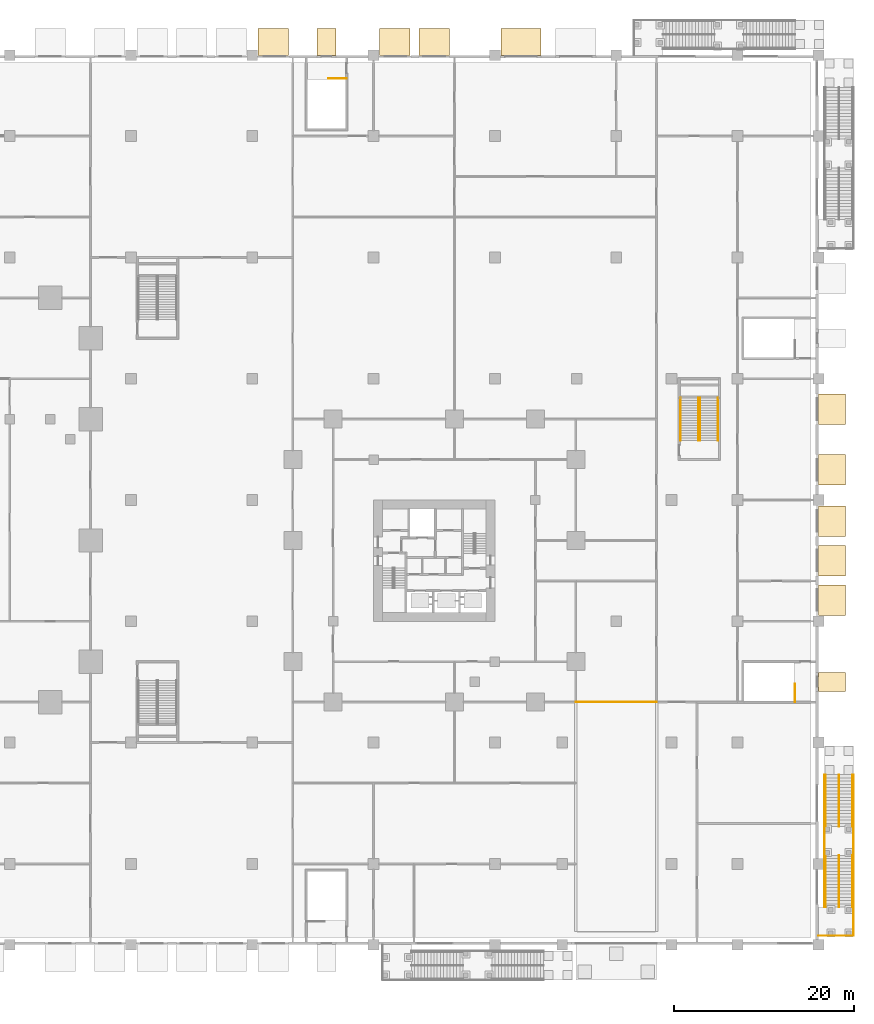
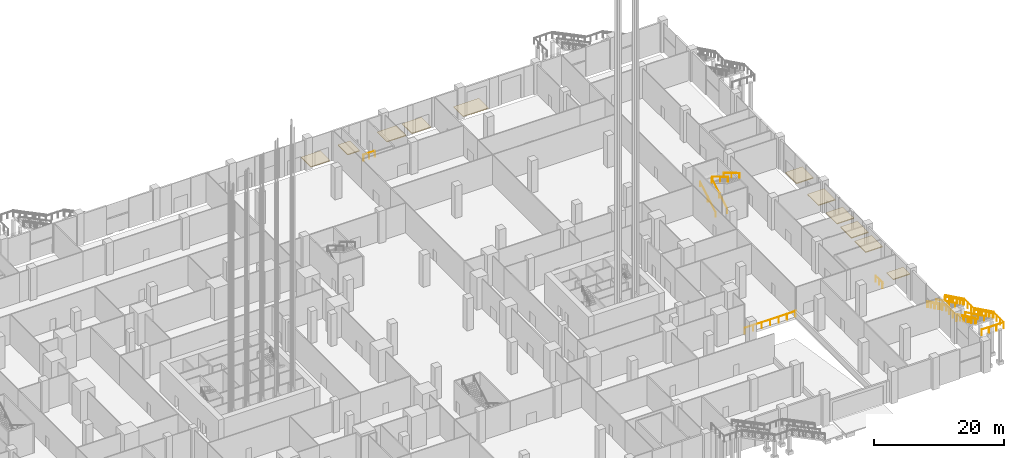
# One storey, part 65 of 68: 21 railings, 11 coverings.
"""IFC4 building model written with IfcOpenShell, lengths in metres."""

from ifc_helpers import new_model, si_unit, direction, frame, origin, origin_2d, place, context, subcontext, project, spatial, polyline, circle, outline, extrude, source, transform, mapped, material, layer, layer_set, type_object, element, save


model = new_model("IFC4")

# Units and contexts
model_context = context("Model", 3, precision=1e-05, world=origin(), true_north=direction((0.0, 1.0)))
body_context = subcontext(model_context, "Body", "Model", "MODEL_VIEW")
ifc_project = project(units=[si_unit("LENGTHUNIT", "METRE"), si_unit("AREAUNIT", "SQUARE_METRE"), si_unit("VOLUMEUNIT", "CUBIC_METRE"), si_unit("PLANEANGLEUNIT", "RADIAN"), si_unit("MASSUNIT", "GRAM", prefix="KILO")], contexts=[model_context])

# Site, building, storey
site_placement = place(None, origin())
site = spatial("IfcSite", under=ifc_project, at=site_placement, CompositionType="ELEMENT")
building_placement = place(site_placement, origin())
building = spatial("IfcBuilding", under=site, at=building_placement, Name="Altepetl Exchange Towers", CompositionType="ELEMENT")
storey_placement = place(building_placement, origin())
storey = spatial("IfcBuildingStorey", under=building, at=storey_placement, Name="L00 Ground concourse", CompositionType="ELEMENT", Elevation=0.0)

# Coverings
ifc_material_1 = material(Name="Cantera limestone paving", Category="masonry")
ifc_layer = layer(ifc_material_1, 0.14990234375)
ifc_layer_set = layer_set([ifc_layer], Name="Cantera limestone paving")
covering_type = type_object("IfcCoveringType", Name="Paving 150 limestone", PredefinedType="FLOORING", material=ifc_layer_set)
covering_1_placement = place(storey_placement, frame((0.0, 0.0, -0.14990234375)))
element("IfcCovering", 1, at=covering_1_placement, inside=storey, type_object=covering_type, Name="Paving", PredefinedType="FLOORING", context=body_context, shape_type="SweptSolid", body=[
    extrude(outline(polyline([(153.0, 28.199951171875), (156.0, 28.199951171875), (156.0, 30.300048828125), (153.0, 30.300048828125), (153.0, 28.199951171875)])), origin(), (0.0, 0.0, 1.0), 0.14990234375),
])
covering_2_placement = place(storey_placement, frame((0.0, 0.0, -0.14990234375)))
element("IfcCovering", 2, at=covering_2_placement, inside=storey, type_object=covering_type, Name="Paving", PredefinedType="FLOORING", context=body_context, shape_type="SweptSolid", body=[
    extrude(outline(polyline([(153.0, 36.64990234375), (156.0, 36.64990234375), (156.0, 40.050048828125), (153.0, 40.050048828125), (153.0, 36.64990234375)])), origin(), (0.0, 0.0, 1.0), 0.14990234375),
])
covering_3_placement = place(storey_placement, frame((0.0, 0.0, -0.14990234375)))
element("IfcCovering", 3, at=covering_3_placement, inside=storey, type_object=covering_type, Name="Paving", PredefinedType="FLOORING", context=body_context, shape_type="SweptSolid", body=[
    extrude(outline(polyline([(153.0, 41.050048828125), (156.0, 41.050048828125), (156.0, 44.449951171875), (153.0, 44.449951171875), (153.0, 41.050048828125)])), origin(), (0.0, 0.0, 1.0), 0.14990234375),
])
covering_4_placement = place(storey_placement, frame((0.0, 0.0, -0.14990234375)))
element("IfcCovering", 4, at=covering_4_placement, inside=storey, type_object=covering_type, Name="Paving", PredefinedType="FLOORING", context=body_context, shape_type="SweptSolid", body=[
    extrude(outline(polyline([(153.0, 45.449951171875), (156.0, 45.449951171875), (156.0, 48.85009765625), (153.0, 48.85009765625), (153.0, 45.449951171875)])), origin(), (0.0, 0.0, 1.0), 0.14990234375),
])
covering_5_placement = place(storey_placement, frame((0.0, 0.0, -0.14990234375)))
element("IfcCovering", 5, at=covering_5_placement, inside=storey, type_object=covering_type, Name="Paving", PredefinedType="FLOORING", context=body_context, shape_type="SweptSolid", body=[
    extrude(outline(polyline([(153.0, 51.14990234375), (156.0, 51.14990234375), (156.0, 54.550048828125), (153.0, 54.550048828125), (153.0, 51.14990234375)])), origin(), (0.0, 0.0, 1.0), 0.14990234375),
])
covering_6_placement = place(storey_placement, frame((0.0, 0.0, -0.14990234375)))
element("IfcCovering", 6, at=covering_6_placement, inside=storey, type_object=covering_type, Name="Paving", PredefinedType="FLOORING", context=body_context, shape_type="SweptSolid", body=[
    extrude(outline(polyline([(153.0, 57.89990234375), (156.0, 57.89990234375), (156.0, 61.300048828125), (153.0, 61.300048828125), (153.0, 57.89990234375)])), origin(), (0.0, 0.0, 1.0), 0.14990234375),
])
covering_7_placement = place(storey_placement, frame((0.0, 0.0, -0.14990234375)))
element("IfcCovering", 7, at=covering_7_placement, inside=storey, type_object=covering_type, Name="Paving", PredefinedType="FLOORING", context=body_context, shape_type="SweptSolid", body=[
    extrude(outline(polyline([(90.64990234375, 99.0), (94.050048828125, 99.0), (94.050048828125, 102.0), (90.64990234375, 102.0), (90.64990234375, 99.0)])), origin(), (0.0, 0.0, 1.0), 0.14990234375),
])
covering_8_placement = place(storey_placement, frame((0.0, 0.0, -0.14990234375)))
element("IfcCovering", 8, at=covering_8_placement, inside=storey, type_object=covering_type, Name="Paving", PredefinedType="FLOORING", context=body_context, shape_type="SweptSolid", body=[
    extrude(outline(polyline([(97.199951171875, 99.0), (99.300048828125, 99.0), (99.300048828125, 102.0), (97.199951171875, 102.0), (97.199951171875, 99.0)])), origin(), (0.0, 0.0, 1.0), 0.14990234375),
])
covering_9_placement = place(storey_placement, frame((0.0, 0.0, -0.14990234375)))
element("IfcCovering", 9, at=covering_9_placement, inside=storey, type_object=covering_type, Name="Paving", PredefinedType="FLOORING", context=body_context, shape_type="SweptSolid", body=[
    extrude(outline(polyline([(104.14990234375, 99.0), (107.550048828125, 99.0), (107.550048828125, 102.0), (104.14990234375, 102.0), (104.14990234375, 99.0)])), origin(), (0.0, 0.0, 1.0), 0.14990234375),
])
covering_10_placement = place(storey_placement, frame((0.0, 0.0, -0.14990234375)))
element("IfcCovering", 10, at=covering_10_placement, inside=storey, type_object=covering_type, Name="Paving", PredefinedType="FLOORING", context=body_context, shape_type="SweptSolid", body=[
    extrude(outline(polyline([(108.550048828125, 99.0), (111.949951171875, 99.0), (111.949951171875, 102.0), (108.550048828125, 102.0), (108.550048828125, 99.0)])), origin(), (0.0, 0.0, 1.0), 0.14990234375),
])
covering_11_placement = place(storey_placement, frame((0.0, 0.0, -0.14990234375)))
element("IfcCovering", 11, at=covering_11_placement, inside=storey, type_object=covering_type, Name="Paving", PredefinedType="FLOORING", context=body_context, shape_type="SweptSolid", body=[
    extrude(outline(polyline([(117.64990234375, 99.0), (122.14990234375, 99.0), (122.14990234375, 102.0), (117.64990234375, 102.0), (117.64990234375, 99.0)])), origin(), (0.0, 0.0, 1.0), 0.14990234375),
])

# Railings
ifc_material_2 = material(Name="Laminated glass and steel", Category="steel")
railing_type_1 = type_object("IfcRailingType", Name="Hall gallery guard 1100", PredefinedType="GUARDRAIL", material=ifc_material_2)
shared_shape_1 = source(origin(), body_context, "Body", "SweptSolid", [
    extrude(circle(Radius=0.02001953125, at=origin_2d()), origin(), (0.0, 0.0, 1.0), 1.050048828125),
])
railing_1_placement = place(storey_placement, frame((100.5, 96.39990234375, 0.0)))
element("IfcRailing", 12, at=railing_1_placement, inside=storey, type_object=railing_type_1, Name="rail:P:L00:ES6top", PredefinedType="GUARDRAIL", context=body_context, shape_type="SweptSolid", body=[
    extrude(circle(Radius=0.02490234375, at=origin_2d()), frame((0.0, 0.0, 1.0751953125), z_axis=(-1.0, 0.0, 0.0), x_axis=(0.0, -1.0, 0.0)), (0.0, 0.0, 1.0), 2.02490234375),
    mapped(shared_shape_1, transform((0.0, 0.0, 0.0))),
    mapped(shared_shape_1, transform((-1.012451171875, 0.0, 0.0))),
    mapped(shared_shape_1, transform((-2.02490234375, 0.0, 0.0))),
])
railing_2_placement = place(storey_placement, frame((150.39990234375, 27.0, 0.0)))
element("IfcRailing", 13, at=railing_2_placement, inside=storey, type_object=railing_type_1, Name="rail:P:L00:ES7top", PredefinedType="GUARDRAIL", context=body_context, shape_type="SweptSolid", body=[
    extrude(circle(Radius=0.02490234375, at=origin_2d()), frame((0.0, 0.0, 1.0751953125), z_axis=(0.0, 1.0, 0.0), x_axis=(-1.0, 0.0, 0.0)), (0.0, 0.0, 1.0), 2.02490234375),
    mapped(shared_shape_1, transform((0.0, 0.0, 0.0))),
    mapped(shared_shape_1, transform((0.0, 1.012451171875, 0.0))),
    mapped(shared_shape_1, transform((0.0, 2.02490234375, 0.0))),
])
railing_3_placement = place(storey_placement, frame((126.0, 27.0, 0.0)))
element("IfcRailing", 14, at=railing_3_placement, inside=storey, type_object=railing_type_1, Name="rail:P:L00:ramp1end", PredefinedType="GUARDRAIL", context=body_context, shape_type="SweptSolid", body=[
    extrude(circle(Radius=0.02490234375, at=origin_2d()), frame((0.0, 0.0, 1.0751953125), z_axis=(1.0, 0.0, 0.0), x_axis=(0.0, 1.0, 0.0)), (0.0, 0.0, 1.0), 9.0),
    mapped(shared_shape_1, transform((0.0, 0.0, 0.0))),
    mapped(shared_shape_1, transform((1.5, 0.0, 0.0))),
    mapped(shared_shape_1, transform((3.0, 0.0, 0.0))),
    mapped(shared_shape_1, transform((4.5, 0.0, 0.0))),
    mapped(shared_shape_1, transform((6.0, 0.0, 0.0))),
    mapped(shared_shape_1, transform((7.5, 0.0, 0.0))),
    mapped(shared_shape_1, transform((9.0, 0.0, 0.0))),
])
for number, where, name in (
    (15, (156.89990234375, 9.9599609375, 3.176513671875), "rail:P:L00:G10flightA"),
    (16, (153.699951171875, 9.9599609375, 3.176513671875), "rail:P:L00:G10flightA_in"),
    (17, (156.89990234375, 18.919921875, 0.176513671875), "rail:P:L00:G10flightB"),
    (18, (153.699951171875, 18.919921875, 0.176513671875), "rail:P:L00:G10flightB_in"),
):
    element("IfcRailing", number, at=place(storey_placement, frame(where)), inside=storey, type_object=railing_type_1, Name=name, PredefinedType="GUARDRAIL", context=body_context, shape_type="SweptSolid", body=[
        extrude(circle(Radius=0.02490234375, at=origin_2d()), frame((0.0, 0.0, 1.0751953125), z_axis=(0.0, -0.897923672095, 0.440151200262), x_axis=(1.0, 0.0, 0.0)), (0.0, 0.0, 1.0), 6.414794921875),
        mapped(shared_shape_1, transform((0.0, 0.0, 0.0))),
        mapped(shared_shape_1, transform((0.0, -1.152099609375, 0.564697265625))),
        mapped(shared_shape_1, transform((0.0, -2.303955078125, 1.12939453125))),
        mapped(shared_shape_1, transform((0.0, -3.4560546875, 1.694091796875))),
        mapped(shared_shape_1, transform((0.0, -4.60791015625, 2.2587890625))),
        mapped(shared_shape_1, transform((0.0, -5.760009765625, 2.823486328125))),
    ])
for number, where, name in (
    (19, (156.89990234375, 9.9599609375, 3.0), "rail:P:L00:G10mid"),
    (20, (153.699951171875, 9.9599609375, 3.0), "rail:P:L00:G10mid_in"),
):
    element("IfcRailing", number, at=place(storey_placement, frame(where)), inside=storey, type_object=railing_type_1, Name=name, PredefinedType="GUARDRAIL", context=body_context, shape_type="SweptSolid", body=[
        extrude(circle(Radius=0.02490234375, at=origin_2d()), frame((0.0, 0.0, 1.0751953125), z_axis=(0.0, 1.0, 0.0), x_axis=(-1.0, 0.0, 0.0)), (0.0, 0.0, 1.0), 3.199951171875),
        mapped(shared_shape_1, transform((0.0, 0.0, 0.0))),
        mapped(shared_shape_1, transform((0.0, 1.066650390625, 0.0))),
        mapped(shared_shape_1, transform((0.0, 2.13330078125, 0.0))),
        mapped(shared_shape_1, transform((0.0, 3.199951171875, 0.0))),
    ])
railing_4_placement = place(storey_placement, frame((153.0, 1.0, 6.0)))
element("IfcRailing", 21, at=railing_4_placement, inside=storey, type_object=railing_type_1, Name="rail:P:L00:G10platform_end", PredefinedType="GUARDRAIL", context=body_context, shape_type="SweptSolid", body=[
    extrude(circle(Radius=0.02490234375, at=origin_2d()), frame((0.0, 0.0, 1.0751953125), z_axis=(1.0, 0.0, 0.0), x_axis=(0.0, 1.0, 0.0)), (0.0, 0.0, 1.0), 3.89990234375),
    mapped(shared_shape_1, transform((0.0, 0.0, 0.0))),
    mapped(shared_shape_1, transform((1.300048828125, 0.0, 0.0))),
    mapped(shared_shape_1, transform((2.599853515625, 0.0, 0.0))),
    mapped(shared_shape_1, transform((3.89990234375, 0.0, 0.0))),
])
railing_5_placement = place(storey_placement, frame((156.89990234375, 1.0, 6.0)))
element("IfcRailing", 22, at=railing_5_placement, inside=storey, type_object=railing_type_1, Name="rail:P:L00:G10platform_out", PredefinedType="GUARDRAIL", context=body_context, shape_type="SweptSolid", body=[
    extrude(circle(Radius=0.02490234375, at=origin_2d()), frame((0.0, 0.0, 1.0751953125), z_axis=(0.0, 1.0, 0.0), x_axis=(-1.0, 0.0, 0.0)), (0.0, 0.0, 1.0), 3.199951171875),
    mapped(shared_shape_1, transform((0.0, 0.0, 0.0))),
    mapped(shared_shape_1, transform((0.0, 1.066650390625, 0.0))),
    mapped(shared_shape_1, transform((0.0, 2.13330078125, 0.0))),
    mapped(shared_shape_1, transform((0.0, 3.199951171875, 0.0))),
])
ifc_material_3 = material(Name="Stainless steel", Category="steel")
railing_type_2 = type_object("IfcRailingType", Name="Stair handrail 900", PredefinedType="HANDRAIL", material=ifc_material_3)
shared_shape_2 = source(origin(), body_context, "Body", "SweptSolid", [
    extrude(circle(Radius=0.02001953125, at=origin_2d()), origin(), (0.0, 0.0, 1.0), 0.849853515625),
])
for number, where, name in (
    (23, (137.64990234375, 56.10009765625, 0.166748046875), "rail:P:L00:PZ2:1a"),
    (24, (139.675048828125, 56.10009765625, 0.166748046875), "rail:P:L00:PZ2:1b"),
):
    element("IfcRailing", number, at=place(storey_placement, frame(where)), inside=storey, type_object=railing_type_2, Name=name, PredefinedType="HANDRAIL", context=body_context, shape_type="SweptSolid", body=[
        extrude(circle(Radius=0.02490234375, at=origin_2d()), frame((0.0, 0.0, 0.875), z_axis=(0.0, 0.859299802514, 0.511472237174), x_axis=(-1.0, 0.0, 0.0)), (0.0, 0.0, 1.0), 5.539306640625),
        mapped(shared_shape_2, transform((0.0, 0.0, 0.0))),
        mapped(shared_shape_2, transform((0.0, 2.3798828125, 1.41650390625))),
        mapped(shared_shape_2, transform((0.0, 4.760009765625, 2.833251953125))),
    ])
for number, where, name in (
    (25, (139.824951171875, 60.860107421875, 3.166748046875), "rail:P:L00:PZ2:2a"),
    (26, (141.85009765625, 60.860107421875, 3.166748046875), "rail:P:L00:PZ2:2b"),
):
    element("IfcRailing", number, at=place(storey_placement, frame(where)), inside=storey, type_object=railing_type_2, Name=name, PredefinedType="HANDRAIL", context=body_context, shape_type="SweptSolid", body=[
        extrude(circle(Radius=0.02490234375, at=origin_2d()), frame((0.0, 0.0, 0.875), z_axis=(0.0, -0.859299802514, 0.511472237174), x_axis=(1.0, 0.0, 0.0)), (0.0, 0.0, 1.0), 5.539306640625),
        mapped(shared_shape_2, transform((0.0, 0.0, 0.0))),
        mapped(shared_shape_2, transform((0.0, -2.3798828125, 1.41650390625))),
        mapped(shared_shape_2, transform((0.0, -4.760009765625, 2.833251953125))),
    ])
for number, where, name in (
    (27, (153.800048828125, 9.9599609375, 3.176513671875), "rail:P:L00:G10hA_in"),
    (28, (155.300048828125, 9.9599609375, 3.176513671875), "rail:P:L00:G10hA_mid"),
    (29, (156.800048828125, 9.9599609375, 3.176513671875), "rail:P:L00:G10hA_out"),
    (30, (153.800048828125, 18.919921875, 0.176513671875), "rail:P:L00:G10hB_in"),
    (31, (155.300048828125, 18.919921875, 0.176513671875), "rail:P:L00:G10hB_mid"),
    (32, (156.800048828125, 18.919921875, 0.176513671875), "rail:P:L00:G10hB_out"),
):
    element("IfcRailing", number, at=place(storey_placement, frame(where)), inside=storey, type_object=railing_type_2, Name=name, PredefinedType="HANDRAIL", context=body_context, shape_type="SweptSolid", body=[
        extrude(circle(Radius=0.02490234375, at=origin_2d()), frame((0.0, 0.0, 0.875), z_axis=(0.0, -0.897923672095, 0.440151200262), x_axis=(1.0, 0.0, 0.0)), (0.0, 0.0, 1.0), 6.414794921875),
        mapped(shared_shape_2, transform((0.0, 0.0, 0.0))),
        mapped(shared_shape_2, transform((0.0, -1.919921875, 0.941162109375))),
        mapped(shared_shape_2, transform((0.0, -3.840087890625, 1.88232421875))),
        mapped(shared_shape_2, transform((0.0, -5.760009765625, 2.823486328125))),
    ])

save(model, "model.ifc")
